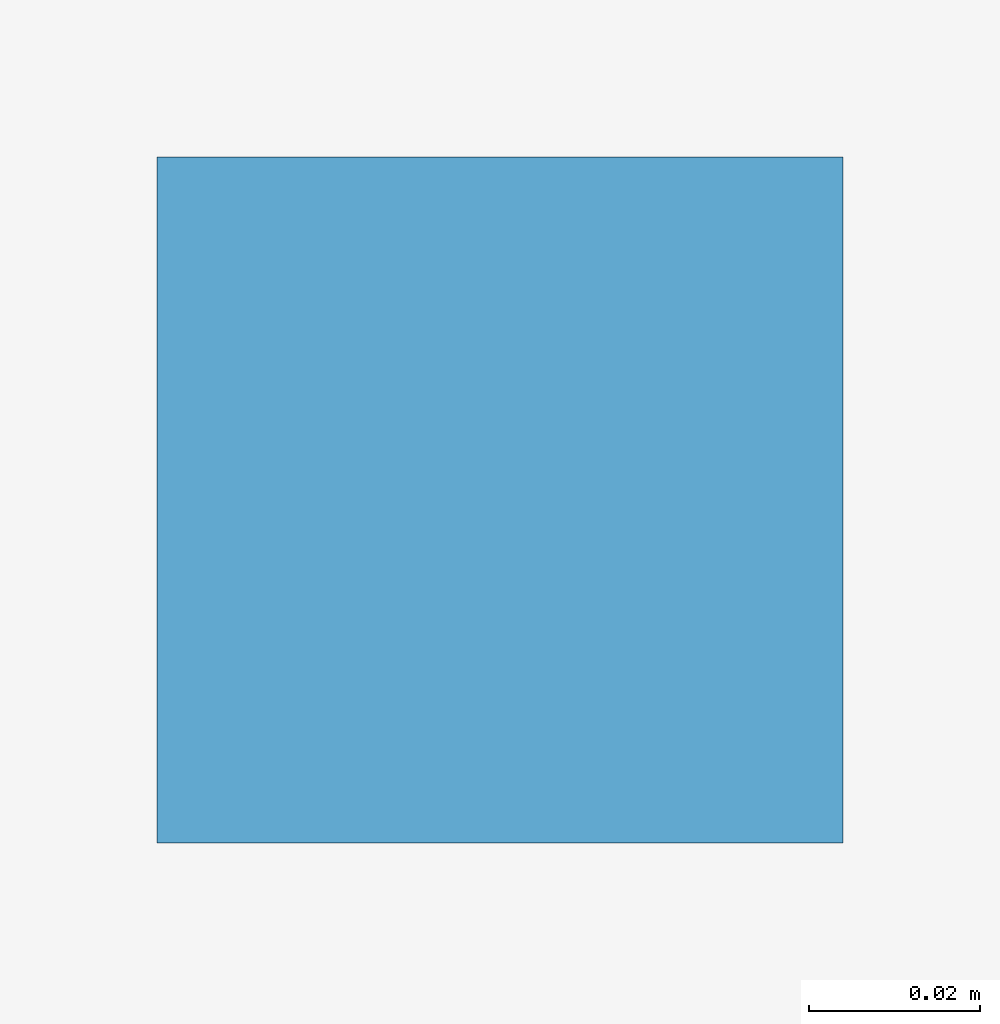
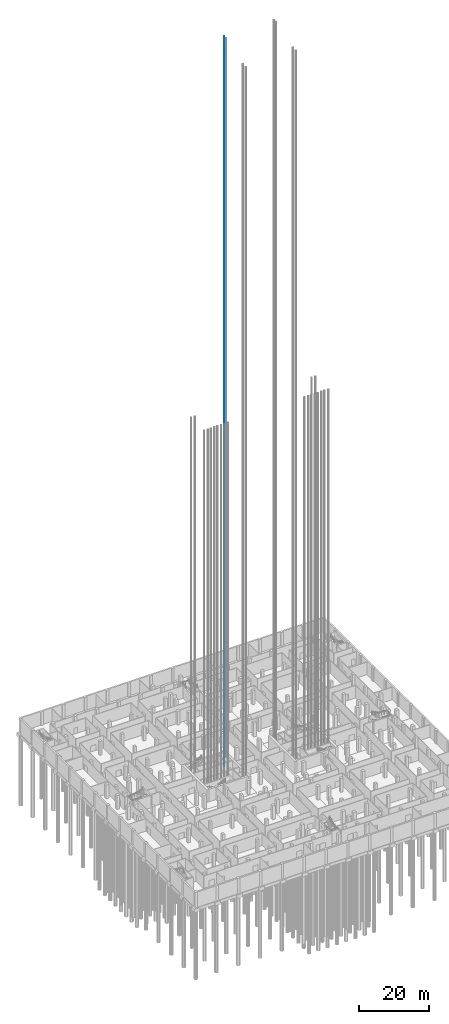
# One storey, part 40 of 54: 1 discrete accessory.
"""IFC4 building model written with IfcOpenShell, lengths in metres."""

from ifc_helpers import new_model, si_unit, direction, frame, origin, origin_2d, place, context, subcontext, project, spatial, rectangle, extrude, material, element, save


model = new_model("IFC4")

# Units and contexts
model_context = context("Model", 3, precision=1e-05, world=origin(), true_north=direction((0.0, 1.0)))
body_context = subcontext(model_context, "Body", "Model", "MODEL_VIEW")
ifc_project = project(units=[si_unit("LENGTHUNIT", "METRE"), si_unit("AREAUNIT", "SQUARE_METRE"), si_unit("VOLUMEUNIT", "CUBIC_METRE"), si_unit("PLANEANGLEUNIT", "RADIAN"), si_unit("MASSUNIT", "GRAM", prefix="KILO")], contexts=[model_context])

# Site, building, storey
site_placement = place(None, origin())
site = spatial("IfcSite", under=ifc_project, at=site_placement, CompositionType="ELEMENT")
building_placement = place(site_placement, origin())
building = spatial("IfcBuilding", under=site, at=building_placement, Name="Fustian Cross Tower", CompositionType="ELEMENT")
storey_placement = place(building_placement, frame((0.0, 0.0, -4.800048828125)))
storey = spatial("IfcBuildingStorey", under=building, at=storey_placement, Name="B1", CompositionType="ELEMENT", Elevation=-4.800048828125)

# Discrete accessory
ifc_material = material(Name="Steel S355", Category="steel")
discrete_accessory_placement = place(storey_placement, frame((-8.18994140625, 6.10009765625, 0.0), z_axis=(0.0, 0.0, 1.0), x_axis=(1.0, 0.0, 0.0)))
element("IfcDiscreteAccessory", 1, at=discrete_accessory_placement, inside=storey, material=ifc_material, Name="Lift guide rail FL1W 2", PredefinedType="NOTDEFINED", context=body_context, shape_type="SweptSolid", body=[
    extrude(rectangle(XDim=0.080078125, YDim=0.080078125, at=origin_2d()), origin(), (0.0, 0.0, 1.0), 254.449951171875),
])

save(model, "model.ifc")
